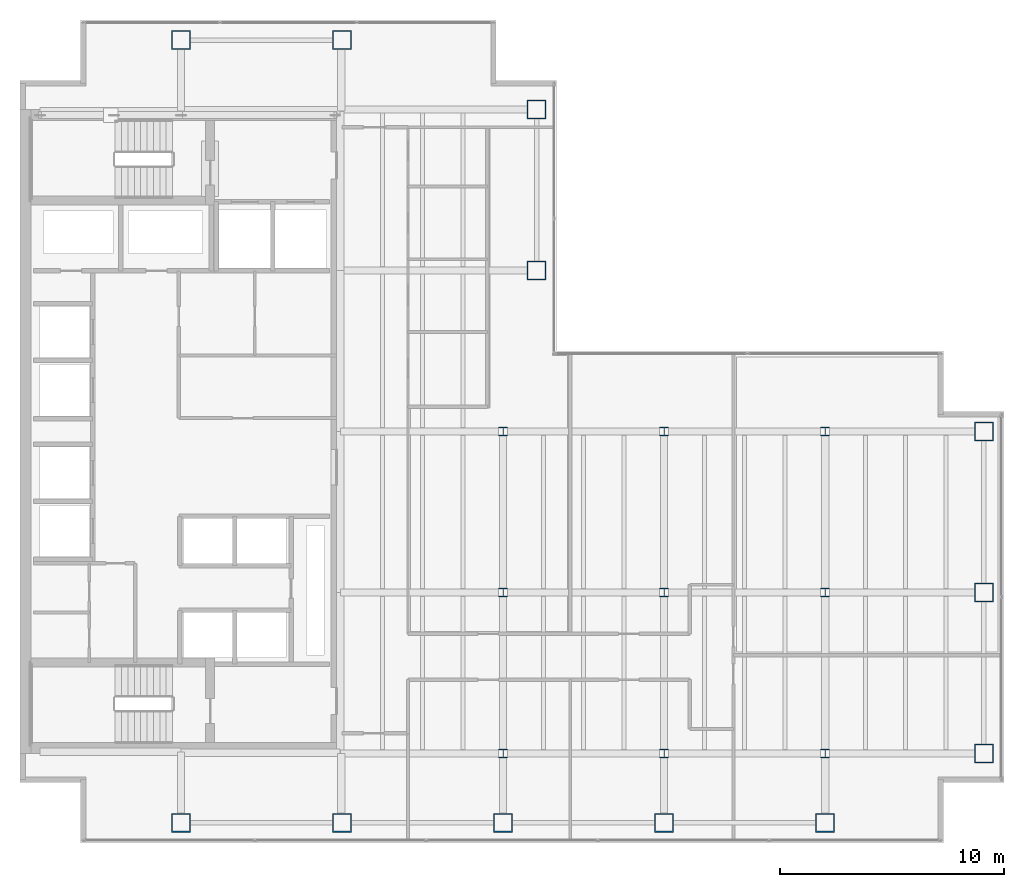
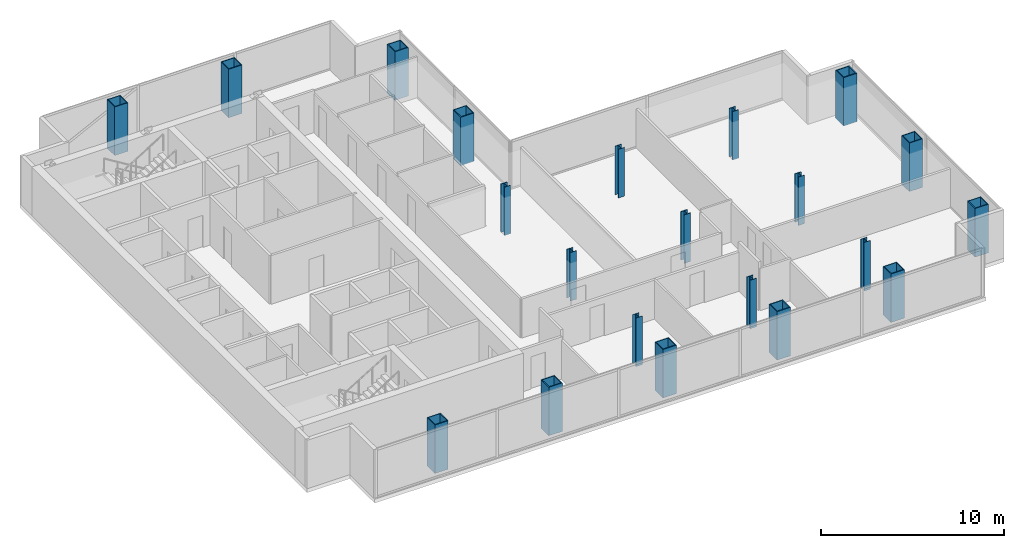
# One storey, part 1 of 23: 21 columns.
"""IFC4 building model written with IfcOpenShell, lengths in metres."""

from ifc_helpers import new_model, si_unit, direction, frame, origin, origin_2d, place, context, subcontext, project, spatial, hollow_rectangle, i_section, extrude, material, material_profile, profile_set, type_object, element, save


model = new_model("IFC4")

# Units and contexts
model_context = context("Model", 3, precision=1e-05, world=origin(), true_north=direction((0.0, 1.0)))
body_context = subcontext(model_context, "Body", "Model", "MODEL_VIEW")
ifc_project = project(units=[si_unit("LENGTHUNIT", "METRE"), si_unit("AREAUNIT", "SQUARE_METRE"), si_unit("VOLUMEUNIT", "CUBIC_METRE"), si_unit("PLANEANGLEUNIT", "RADIAN"), si_unit("MASSUNIT", "GRAM", prefix="KILO")], contexts=[model_context])

# Site, building, storey
site_placement = place(None, origin())
site = spatial("IfcSite", under=ifc_project, at=site_placement, CompositionType="ELEMENT")
building_placement = place(site_placement, origin())
building = spatial("IfcBuilding", under=site, at=building_placement, Name="Cobrela Telecom Tower", CompositionType="ELEMENT")
storey_placement = place(building_placement, frame((0.0, 0.0, 173.25)))
storey = spatial("IfcBuildingStorey", under=building, at=storey_placement, Name="L43", CompositionType="ELEMENT", Elevation=173.25)

# Columns
ifc_material_1 = material(Name="Steel ASTM A992 Grade 50", Category="steel")
ifc_material_profile_1 = material_profile(ifc_material_1, i_section(OverallWidth=0.39892578125, OverallDepth=0.39404296875, WebThickness=0.022705078125, FlangeThickness=0.03662109375, FilletRadius=0.01806640625, at=origin_2d()), Name="W14X193")
ifc_profile_set_1 = profile_set([ifc_material_profile_1], Name="Steel ASTM A992 Grade 50")
column_type_1 = type_object("IfcColumnType", Name="COL-INT-06", PredefinedType="COLUMN", material=ifc_profile_set_1)
for number, where, z_axis, x_axis, name in (
    (1, (21.60009765625, 7.199951171875, 0.0), (0.0, 0.0, 1.0), (1.0, 0.0, 0.0), "L43 Interior Column 06"),
    (2, (21.60009765625, 14.39990234375, 0.0), (0.0, 0.0, 1.0), (1.0, 0.0, 0.0), "L43 Interior Column 07"),
    (3, (21.60009765625, 21.60009765625, 0.0), (0.0, 0.0, 1.0), (1.0, 0.0, 0.0), "L43 Interior Column 08"),
    (4, (28.800048828125, 7.199951171875, 0.0), (0.0, 0.0, 1.0), (1.0, 0.0, 0.0), "L43 Interior Column 12"),
    (5, (28.800048828125, 14.39990234375, 0.0), (0.0, 0.0, 1.0), (1.0, 0.0, 0.0), "L43 Interior Column 13"),
    (6, (28.800048828125, 21.60009765625, 0.0), (0.0, 0.0, 1.0), (1.0, 0.0, 0.0), "L43 Interior Column 14"),
    (7, (36.0, 7.199951171875, 0.0), (0.0, 0.0, 1.0), (1.0, 0.0, 0.0), "L43 Interior Column 16"),
    (8, (36.0, 14.39990234375, 0.0), (0.0, 0.0, 1.0), (1.0, 0.0, 0.0), "L43 Interior Column 17"),
    (9, (36.0, 21.60009765625, 0.0), (0.0, 0.0, 1.0), (1.0, 0.0, 0.0), "L43 Interior Column 18"),
):
    element("IfcColumn", number, at=place(storey_placement, frame(where, z_axis=z_axis, x_axis=x_axis)), inside=storey, type_object=column_type_1, Name=name, PredefinedType="COLUMN", context=body_context, shape_type="SweptSolid", body=[
        extrude(i_section(OverallWidth=0.39892578125, OverallDepth=0.39404296875, WebThickness=0.022705078125, FlangeThickness=0.03662109375, FilletRadius=0.01806640625, at=origin_2d()), origin(), (0.0, 0.0, 1.0), 3.239990234375),
    ])
ifc_material_2 = material(Name="Steel ASTM A572 Grade 50", Category="steel")
ifc_material_profile_2 = material_profile(ifc_material_2, hollow_rectangle(XDim=0.85009765625, YDim=0.85009765625, WallThickness=0.050048828125, at=origin_2d()), Name="BOX 850x850x50")
ifc_profile_set_2 = profile_set([ifc_material_profile_2], Name="Steel ASTM A572 Grade 50")
column_type_2 = type_object("IfcColumnType", Name="COL-MEGA-06", PredefinedType="COLUMN", material=ifc_profile_set_2)
for number, where, z_axis, x_axis, name in (
    (10, (7.199951171875, 4.10009765625, 0.0), (0.0, 0.0, 1.0), (1.0, 0.0, 0.0), "L43 Perimeter Mega-Column 01"),
    (11, (7.199951171875, 39.10009765625, 0.0), (0.0, 0.0, 1.0), (1.0, 0.0, 0.0), "L43 Perimeter Mega-Column 02"),
    (12, (14.39990234375, 4.10009765625, 0.0), (0.0, 0.0, 1.0), (1.0, 0.0, 0.0), "L43 Perimeter Mega-Column 03"),
    (13, (14.39990234375, 39.10009765625, 0.0), (0.0, 0.0, 1.0), (1.0, 0.0, 0.0), "L43 Perimeter Mega-Column 04"),
    (14, (21.60009765625, 4.10009765625, 0.0), (0.0, 0.0, 1.0), (1.0, 0.0, 0.0), "L43 Perimeter Mega-Column 05"),
    (15, (23.10009765625, 28.800048828125, 0.0), (0.0, 0.0, 1.0), (1.0, 0.0, 0.0), "L43 Perimeter Mega-Column 09"),
    (16, (23.10009765625, 36.0, 0.0), (0.0, 0.0, 1.0), (1.0, 0.0, 0.0), "L43 Perimeter Mega-Column 10"),
    (17, (28.800048828125, 4.10009765625, 0.0), (0.0, 0.0, 1.0), (1.0, 0.0, 0.0), "L43 Perimeter Mega-Column 11"),
    (18, (36.0, 4.10009765625, 0.0), (0.0, 0.0, 1.0), (1.0, 0.0, 0.0), "L43 Perimeter Mega-Column 15"),
    (19, (43.10009765625, 7.199951171875, 0.0), (0.0, 0.0, 1.0), (1.0, 0.0, 0.0), "L43 Perimeter Mega-Column 19"),
    (20, (43.10009765625, 14.39990234375, 0.0), (0.0, 0.0, 1.0), (1.0, 0.0, 0.0), "L43 Perimeter Mega-Column 20"),
    (21, (43.10009765625, 21.60009765625, 0.0), (0.0, 0.0, 1.0), (1.0, 0.0, 0.0), "L43 Perimeter Mega-Column 21"),
):
    element("IfcColumn", number, at=place(storey_placement, frame(where, z_axis=z_axis, x_axis=x_axis)), inside=storey, type_object=column_type_2, Name=name, PredefinedType="COLUMN", context=body_context, shape_type="SweptSolid", body=[
        extrude(hollow_rectangle(XDim=0.85009765625, YDim=0.85009765625, WallThickness=0.050048828125, at=origin_2d()), origin(), (0.0, 0.0, 1.0), 3.239990234375),
    ])

save(model, "model.ifc")
